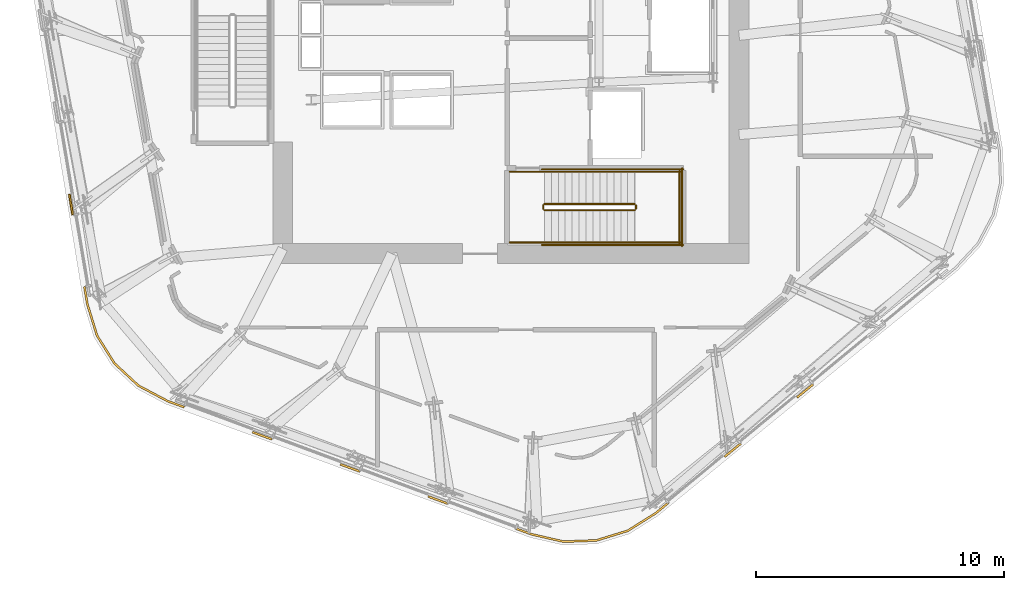
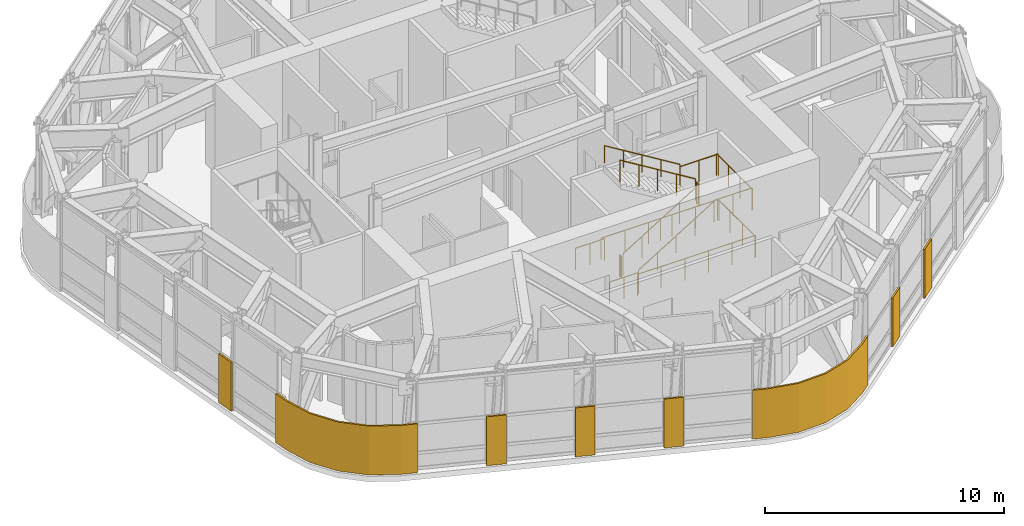
# One storey, part 13 of 16: 14 railings, 8 coverings.
"""IFC4 building model written with IfcOpenShell, lengths in metres."""

from ifc_helpers import new_model, si_unit, direction, frame, origin, origin_2d, place, context, subcontext, project, spatial, polyline, circle, outline, extrude, material, layer, layer_set, type_object, element, save


model = new_model("IFC4")

# Units and contexts
model_context = context("Model", 3, precision=1e-05, world=origin(), true_north=direction((0.0, 1.0)))
body_context = subcontext(model_context, "Body", "Model", "MODEL_VIEW")
ifc_project = project(units=[si_unit("LENGTHUNIT", "METRE"), si_unit("AREAUNIT", "SQUARE_METRE"), si_unit("VOLUMEUNIT", "CUBIC_METRE"), si_unit("PLANEANGLEUNIT", "RADIAN"), si_unit("MASSUNIT", "GRAM", prefix="KILO")], contexts=[model_context])

# Site, building, storey
site_placement = place(None, origin())
site = spatial("IfcSite", under=ifc_project, at=site_placement, CompositionType="ELEMENT")
building_placement = place(site_placement, origin())
building = spatial("IfcBuilding", under=site, at=building_placement, Name="Valkerne Bourse Tower", CompositionType="ELEMENT")
storey_placement = place(building_placement, frame((0.0, 0.0, 193.199951171875)))
storey = spatial("IfcBuildingStorey", under=building, at=storey_placement, Name="L49", CompositionType="ELEMENT", Elevation=193.199951171875)

# Coverings
ifc_material_1 = material(Name="Bronze Anodised Aluminium AA 6063-T6", Category="aluminium")
ifc_layer = layer(ifc_material_1, 0.06005859375)
ifc_layer_set = layer_set([ifc_layer], Name="Bronze Anodised Aluminium AA 6063-T6")
covering_type = type_object("IfcCoveringType", Name="COV-CRN-ALUM", PredefinedType="CLADDING", material=ifc_layer_set)
covering_1_placement = place(storey_placement, origin())
element("IfcCovering", 1, at=covering_1_placement, inside=storey, type_object=covering_type, Name="L49 Wind-Shaped Corner Aluminium Cladding 03", PredefinedType="CLADDING", context=body_context, shape_type="SweptSolid", body=[
    extrude(outline(polyline([(58.360595703125, 12.36669921875), (58.309814453125, 12.42822265625), (58.959716796875, 12.960205078125), (59.010498046875, 12.898681640625), (58.360595703125, 12.36669921875)])), origin(), (0.0, 0.0, 1.0), 2.5),
])
covering_2_placement = place(storey_placement, origin())
element("IfcCovering", 2, at=covering_2_placement, inside=storey, type_object=covering_type, Name="L49 Wind-Shaped Corner Aluminium Cladding 04", PredefinedType="CLADDING", context=body_context, shape_type="SweptSolid", body=[
    extrude(outline(polyline([(55.442626953125, 9.977783203125), (55.3916015625, 10.03955078125), (56.04150390625, 10.571533203125), (56.092529296875, 10.510009765625), (55.442626953125, 9.977783203125)])), origin(), (0.0, 0.0, 1.0), 2.5),
])
covering_3_placement = place(storey_placement, origin())
element("IfcCovering", 3, at=covering_3_placement, inside=storey, type_object=covering_type, Name="L49 Wind-Shaped Corner Aluminium Cladding 05", PredefinedType="CLADDING", context=body_context, shape_type="SweptSolid", body=[
    extrude(outline(polyline([(52.656982421875, 7.697509765625), (51.5234375, 6.986572265625), (50.251220703125, 6.59521484375), (48.9208984375, 6.54638671875), (47.61669921875, 6.84521484375), (46.988525390625, 7.074951171875), (47.0166015625, 7.14990234375), (47.639404296875, 6.921875), (48.9287109375, 6.626708984375), (50.23779296875, 6.6748046875), (51.489990234375, 7.059814453125), (52.610107421875, 7.7626953125), (53.12353515625, 8.182861328125), (53.174560546875, 8.121337890625), (52.656982421875, 7.697509765625)])), origin(), (0.0, 0.0, 1.0), 2.5),
])
covering_4_placement = place(storey_placement, origin())
element("IfcCovering", 4, at=covering_4_placement, inside=storey, type_object=covering_type, Name="L49 Wind-Shaped Corner Aluminium Cladding 06", PredefinedType="CLADDING", context=body_context, shape_type="SweptSolid", body=[
    extrude(outline(polyline([(43.447265625, 8.37109375), (43.47509765625, 8.4462890625), (44.263916015625, 8.157470703125), (44.236083984375, 8.08251953125), (43.447265625, 8.37109375)])), origin(), (0.0, 0.0, 1.0), 2.5),
])
covering_5_placement = place(storey_placement, origin())
element("IfcCovering", 5, at=covering_5_placement, inside=storey, type_object=covering_type, Name="L49 Wind-Shaped Corner Aluminium Cladding 07", PredefinedType="CLADDING", context=body_context, shape_type="SweptSolid", body=[
    extrude(outline(polyline([(39.906005859375, 9.66748046875), (39.933837890625, 9.742431640625), (40.72265625, 9.45361328125), (40.69482421875, 9.378662109375), (39.906005859375, 9.66748046875)])), origin(), (0.0, 0.0, 1.0), 2.5),
])
covering_6_placement = place(storey_placement, origin())
element("IfcCovering", 6, at=covering_6_placement, inside=storey, type_object=covering_type, Name="L49 Wind-Shaped Corner Aluminium Cladding 08", PredefinedType="CLADDING", context=body_context, shape_type="SweptSolid", body=[
    extrude(outline(polyline([(36.36474609375, 10.963623046875), (36.392578125, 11.03857421875), (37.181396484375, 10.75), (37.153564453125, 10.6748046875), (36.36474609375, 10.963623046875)])), origin(), (0.0, 0.0, 1.0), 2.5),
])
covering_7_placement = place(storey_placement, origin())
element("IfcCovering", 7, at=covering_7_placement, inside=storey, type_object=covering_type, Name="L49 Wind-Shaped Corner Aluminium Cladding 09", PredefinedType="CLADDING", context=body_context, shape_type="SweptSolid", body=[
    extrude(outline(polyline([(32.939697265625, 12.21728515625), (31.7578125, 12.843017578125), (30.78271484375, 13.749267578125), (30.0751953125, 14.876953125), (29.681884765625, 16.1552734375), (29.566162109375, 16.86181640625), (29.64501953125, 16.875244140625), (29.760009765625, 16.173583984375), (30.148681640625, 14.910400390625), (30.8447265625, 13.800537109375), (31.804443359375, 12.908935546875), (32.972412109375, 12.29052734375), (33.64013671875, 12.046142578125), (33.6123046875, 11.97119140625), (32.939697265625, 12.21728515625)])), origin(), (0.0, 0.0, 1.0), 2.5),
])
covering_8_placement = place(storey_placement, origin())
element("IfcCovering", 8, at=covering_8_placement, inside=storey, type_object=covering_type, Name="L49 Wind-Shaped Corner Aluminium Cladding 10", PredefinedType="CLADDING", context=body_context, shape_type="SweptSolid", body=[
    extrude(outline(polyline([(28.956298828125, 20.58349609375), (29.035400390625, 20.5966796875), (29.171142578125, 19.767822265625), (29.09228515625, 19.75439453125), (28.956298828125, 20.58349609375)])), origin(), (0.0, 0.0, 1.0), 2.5),
])

# Railings
ifc_material_2 = material(Name="Galvanised Painted Steel", Category="steel")
railing_type_1 = type_object("IfcRailingType", Name="RLG-ST-GUARD-1120", PredefinedType="GUARDRAIL", material=ifc_material_2)
railing_1_placement = place(storey_placement, frame((48.14990234375, 19.949951171875, 0.17138671875)))
element("IfcRailing", 9, at=railing_1_placement, inside=storey, type_object=railing_type_1, Name="L49 ST-1 stair guard 1", PredefinedType="GUARDRAIL", context=body_context, shape_type="SweptSolid", body=[
    extrude(circle(Radius=0.02392578125, at=origin_2d()), frame((0.0, 0.0, 1.09619140625), z_axis=(0.852840387347, 0.0, 0.522171689878), x_axis=(0.0, 1.0, 0.0)), (0.0, 0.0, 1.0), 4.268310546875),
    extrude(circle(Radius=0.02099609375, at=origin_2d()), origin(), (0.0, 0.0, 1.0), 1.072021484375),
    extrude(circle(Radius=0.02099609375, at=origin_2d()), frame((0.91015625, 0.0, 0.55712890625)), (0.0, 0.0, 1.0), 1.072021484375),
    extrude(circle(Radius=0.02099609375, at=origin_2d()), frame((1.820068359375, 0.0, 1.1142578125)), (0.0, 0.0, 1.0), 1.072021484375),
    extrude(circle(Radius=0.02099609375, at=origin_2d()), frame((2.72998046875, 0.0, 1.671630859375)), (0.0, 0.0, 1.0), 1.072021484375),
    extrude(circle(Radius=0.02099609375, at=origin_2d()), frame((3.64013671875, 0.0, 2.228759765625)), (0.0, 0.0, 1.0), 1.072021484375),
])
railing_2_placement = place(storey_placement, frame((51.840087890625, 20.0, 2.400146484375)))
element("IfcRailing", 10, at=railing_2_placement, inside=storey, type_object=railing_type_1, Name="L49 ST-1 stair guard 2", PredefinedType="GUARDRAIL", context=body_context, shape_type="SweptSolid", body=[
    extrude(circle(Radius=0.02392578125, at=origin_2d()), frame((0.0, 0.0, 1.09619140625), z_axis=(0.0, 1.0, 0.0), x_axis=(-1.0, 0.0, 0.0)), (0.0, 0.0, 1.0), 0.14990234375),
    extrude(circle(Radius=0.02099609375, at=origin_2d()), origin(), (0.0, 0.0, 1.0), 1.072021484375),
    extrude(circle(Radius=0.02099609375, at=origin_2d()), frame((0.0, 0.14990234375, 0.0)), (0.0, 0.0, 1.0), 1.072021484375),
])
for number, where, name in (
    (11, (51.7900390625, 18.64990234375, 2.400146484375), "L49 ST-1 stair guard 3"),
    (12, (51.7900390625, 21.5, 2.400146484375), "L49 ST-1 stair guard 4"),
):
    element("IfcRailing", number, at=place(storey_placement, frame(where)), inside=storey, type_object=railing_type_1, Name=name, PredefinedType="GUARDRAIL", context=body_context, shape_type="SweptSolid", body=[
        extrude(circle(Radius=0.02392578125, at=origin_2d()), frame((0.0, 0.0, 1.09619140625), z_axis=(1.0, 0.0, 0.0), x_axis=(0.0, 1.0, 0.0)), (0.0, 0.0, 1.0), 1.85986328125),
        extrude(circle(Radius=0.02099609375, at=origin_2d()), origin(), (0.0, 0.0, 1.0), 1.072021484375),
        extrude(circle(Radius=0.02099609375, at=origin_2d()), frame((0.929931640625, 0.0, 0.0)), (0.0, 0.0, 1.0), 1.072021484375),
        extrude(circle(Radius=0.02099609375, at=origin_2d()), frame((1.85986328125, 0.0, 0.0)), (0.0, 0.0, 1.0), 1.072021484375),
    ])
railing_3_placement = place(storey_placement, frame((53.60009765625, 18.60009765625, 2.400146484375)))
element("IfcRailing", 13, at=railing_3_placement, inside=storey, type_object=railing_type_1, Name="L49 ST-1 stair guard 5", PredefinedType="GUARDRAIL", context=body_context, shape_type="SweptSolid", body=[
    extrude(circle(Radius=0.02392578125, at=origin_2d()), frame((0.0, 0.0, 1.09619140625), z_axis=(0.0, 1.0, 0.0), x_axis=(-1.0, 0.0, 0.0)), (0.0, 0.0, 1.0), 2.949951171875),
    extrude(circle(Radius=0.02099609375, at=origin_2d()), origin(), (0.0, 0.0, 1.0), 1.072021484375),
    extrude(circle(Radius=0.02099609375, at=origin_2d()), frame((0.0, 0.9833984375, 0.0)), (0.0, 0.0, 1.0), 1.072021484375),
    extrude(circle(Radius=0.02099609375, at=origin_2d()), frame((0.0, 1.966552734375, 0.0)), (0.0, 0.0, 1.0), 1.072021484375),
    extrude(circle(Radius=0.02099609375, at=origin_2d()), frame((0.0, 2.949951171875, 0.0)), (0.0, 0.0, 1.0), 1.072021484375),
])
railing_4_placement = place(storey_placement, frame((51.7900390625, 20.199951171875, 2.571533203125)))
element("IfcRailing", 14, at=railing_4_placement, inside=storey, type_object=railing_type_1, Name="L49 ST-1 stair guard 6", PredefinedType="GUARDRAIL", context=body_context, shape_type="SweptSolid", body=[
    extrude(circle(Radius=0.02392578125, at=origin_2d()), frame((0.0, 0.0, 1.09619140625), z_axis=(-0.852865859571, 0.0, 0.52213008492), x_axis=(0.0, -1.0, 0.0)), (0.0, 0.0, 1.0), 4.26806640625),
    extrude(circle(Radius=0.02099609375, at=origin_2d()), origin(), (0.0, 0.0, 1.0), 1.072021484375),
    extrude(circle(Radius=0.02099609375, at=origin_2d()), frame((-0.91015625, 0.0, 0.55712890625)), (0.0, 0.0, 1.0), 1.072021484375),
    extrude(circle(Radius=0.02099609375, at=origin_2d()), frame((-1.820068359375, 0.0, 1.1142578125)), (0.0, 0.0, 1.0), 1.072021484375),
    extrude(circle(Radius=0.02099609375, at=origin_2d()), frame((-2.72998046875, 0.0, 1.67138671875)), (0.0, 0.0, 1.0), 1.072021484375),
    extrude(circle(Radius=0.02099609375, at=origin_2d()), frame((-3.64013671875, 0.0, 2.228515625)), (0.0, 0.0, 1.0), 1.072021484375),
])
railing_5_placement = place(storey_placement, frame((48.10009765625, 20.0, 0.0)))
element("IfcRailing", 15, at=railing_5_placement, inside=storey, type_object=railing_type_1, Name="L49 ST-1 stair guard 7", PredefinedType="GUARDRAIL", context=body_context, shape_type="SweptSolid", body=[
    extrude(circle(Radius=0.02392578125, at=origin_2d()), frame((0.0, 0.0, 1.09619140625), z_axis=(0.0, 1.0, 0.0), x_axis=(-1.0, 0.0, 0.0)), (0.0, 0.0, 1.0), 0.14990234375),
    extrude(circle(Radius=0.02099609375, at=origin_2d()), origin(), (0.0, 0.0, 1.0), 1.072021484375),
    extrude(circle(Radius=0.02099609375, at=origin_2d()), frame((0.0, 0.14990234375, 0.0)), (0.0, 0.0, 1.0), 1.072021484375),
])
for number, where, name in (
    (16, (46.75, 18.64990234375, 0.0), "L49 ST-1 stair guard 8"),
    (17, (46.75, 21.5, 0.0), "L49 ST-1 stair guard 9"),
):
    element("IfcRailing", number, at=place(storey_placement, frame(where)), inside=storey, type_object=railing_type_1, Name=name, PredefinedType="GUARDRAIL", context=body_context, shape_type="SweptSolid", body=[
        extrude(circle(Radius=0.02392578125, at=origin_2d()), frame((0.0, 0.0, 1.09619140625), z_axis=(1.0, 0.0, 0.0), x_axis=(0.0, 1.0, 0.0)), (0.0, 0.0, 1.0), 1.39990234375),
        extrude(circle(Radius=0.02099609375, at=origin_2d()), origin(), (0.0, 0.0, 1.0), 1.072021484375),
        extrude(circle(Radius=0.02099609375, at=origin_2d()), frame((0.699951171875, 0.0, 0.0)), (0.0, 0.0, 1.0), 1.072021484375),
        extrude(circle(Radius=0.02099609375, at=origin_2d()), frame((1.39990234375, 0.0, 0.0)), (0.0, 0.0, 1.0), 1.072021484375),
    ])
for number, where, name in (
    (18, (48.050048828125, 18.550048828125, 0.0), "L49 ST-1 stair guard 10"),
    (19, (48.050048828125, 21.60009765625, 0.0), "L49 ST-1 stair guard 11"),
):
    element("IfcRailing", number, at=place(storey_placement, frame(where)), inside=storey, type_object=railing_type_1, Name=name, PredefinedType="GUARDRAIL", context=body_context, shape_type="SweptSolid", body=[
        extrude(circle(Radius=0.02392578125, at=origin_2d()), frame((0.0, 0.0, 1.09619140625), z_axis=(1.0, 0.0, 0.0), x_axis=(0.0, 1.0, 0.0)), (0.0, 0.0, 1.0), 5.699951171875),
        extrude(circle(Radius=0.02099609375, at=origin_2d()), origin(), (0.0, 0.0, 1.0), 1.072021484375),
        extrude(circle(Radius=0.02099609375, at=origin_2d()), frame((1.139892578125, 0.0, 0.0)), (0.0, 0.0, 1.0), 1.072021484375),
        extrude(circle(Radius=0.02099609375, at=origin_2d()), frame((2.280029296875, 0.0, 0.0)), (0.0, 0.0, 1.0), 1.072021484375),
        extrude(circle(Radius=0.02099609375, at=origin_2d()), frame((3.419921875, 0.0, 0.0)), (0.0, 0.0, 1.0), 1.072021484375),
        extrude(circle(Radius=0.02099609375, at=origin_2d()), frame((4.56005859375, 0.0, 0.0)), (0.0, 0.0, 1.0), 1.072021484375),
        extrude(circle(Radius=0.02099609375, at=origin_2d()), frame((5.699951171875, 0.0, 0.0)), (0.0, 0.0, 1.0), 1.072021484375),
    ])
railing_6_placement = place(storey_placement, frame((53.699951171875, 18.5, 0.0)))
element("IfcRailing", 20, at=railing_6_placement, inside=storey, type_object=railing_type_1, Name="L49 ST-1 stair guard 12", PredefinedType="GUARDRAIL", context=body_context, shape_type="SweptSolid", body=[
    extrude(circle(Radius=0.02392578125, at=origin_2d()), frame((0.0, 0.0, 1.09619140625), z_axis=(0.0, 1.0, 0.0), x_axis=(-1.0, 0.0, 0.0)), (0.0, 0.0, 1.0), 3.14990234375),
    extrude(circle(Radius=0.02099609375, at=origin_2d()), origin(), (0.0, 0.0, 1.0), 1.072021484375),
    extrude(circle(Radius=0.02099609375, at=origin_2d()), frame((0.0, 1.050048828125, 0.0)), (0.0, 0.0, 1.0), 1.072021484375),
    extrude(circle(Radius=0.02099609375, at=origin_2d()), frame((0.0, 2.099853515625, 0.0)), (0.0, 0.0, 1.0), 1.072021484375),
    extrude(circle(Radius=0.02099609375, at=origin_2d()), frame((0.0, 3.14990234375, 0.0)), (0.0, 0.0, 1.0), 1.072021484375),
])
ifc_material_3 = material(Name="Stainless Steel AISI 316", Category="steel")
railing_type_2 = type_object("IfcRailingType", Name="RLG-ST-HANDRAIL-900", PredefinedType="HANDRAIL", material=ifc_material_3)
railing_7_placement = place(storey_placement, frame((48.14990234375, 18.64990234375, 0.343017578125)))
element("IfcRailing", 21, at=railing_7_placement, inside=storey, type_object=railing_type_2, Name="L49 ST-1 stair handrail 1", PredefinedType="HANDRAIL", context=body_context, shape_type="SweptSolid", body=[
    extrude(circle(Radius=0.02392578125, at=origin_2d()), frame((0.0, 0.0, 0.8759765625), z_axis=(0.852865859571, 0.0, 0.52213008492), x_axis=(0.0, 1.0, 0.0)), (0.0, 0.0, 1.0), 4.26806640625),
    extrude(circle(Radius=0.02099609375, at=origin_2d()), origin(), (0.0, 0.0, 1.0), 0.851806640625),
    extrude(circle(Radius=0.02099609375, at=origin_2d()), frame((0.91015625, 0.0, 0.55712890625)), (0.0, 0.0, 1.0), 0.851806640625),
    extrude(circle(Radius=0.02099609375, at=origin_2d()), frame((1.820068359375, 0.0, 1.1142578125)), (0.0, 0.0, 1.0), 0.851806640625),
    extrude(circle(Radius=0.02099609375, at=origin_2d()), frame((2.72998046875, 0.0, 1.67138671875)), (0.0, 0.0, 1.0), 0.851806640625),
    extrude(circle(Radius=0.02099609375, at=origin_2d()), frame((3.64013671875, 0.0, 2.228515625)), (0.0, 0.0, 1.0), 0.851806640625),
])
railing_8_placement = place(storey_placement, frame((51.7900390625, 21.5, 2.742919921875)))
element("IfcRailing", 22, at=railing_8_placement, inside=storey, type_object=railing_type_2, Name="L49 ST-1 stair handrail 2", PredefinedType="HANDRAIL", context=body_context, shape_type="SweptSolid", body=[
    extrude(circle(Radius=0.02392578125, at=origin_2d()), frame((0.0, 0.0, 0.8759765625), z_axis=(-0.852865859571, 0.0, 0.52213008492), x_axis=(0.0, -1.0, 0.0)), (0.0, 0.0, 1.0), 4.26806640625),
    extrude(circle(Radius=0.02099609375, at=origin_2d()), origin(), (0.0, 0.0, 1.0), 0.851806640625),
    extrude(circle(Radius=0.02099609375, at=origin_2d()), frame((-0.91015625, 0.0, 0.55712890625)), (0.0, 0.0, 1.0), 0.851806640625),
    extrude(circle(Radius=0.02099609375, at=origin_2d()), frame((-1.820068359375, 0.0, 1.1142578125)), (0.0, 0.0, 1.0), 0.851806640625),
    extrude(circle(Radius=0.02099609375, at=origin_2d()), frame((-2.72998046875, 0.0, 1.67138671875)), (0.0, 0.0, 1.0), 0.851806640625),
    extrude(circle(Radius=0.02099609375, at=origin_2d()), frame((-3.64013671875, 0.0, 2.228515625)), (0.0, 0.0, 1.0), 0.851806640625),
])

save(model, "model.ifc")
